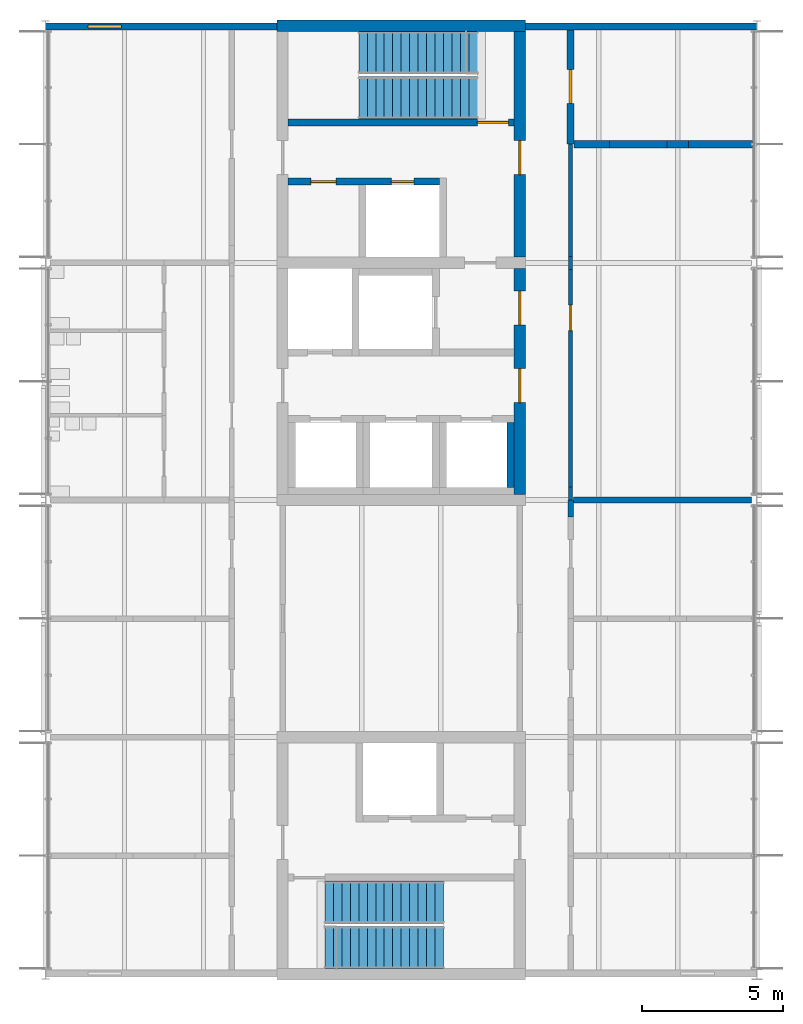
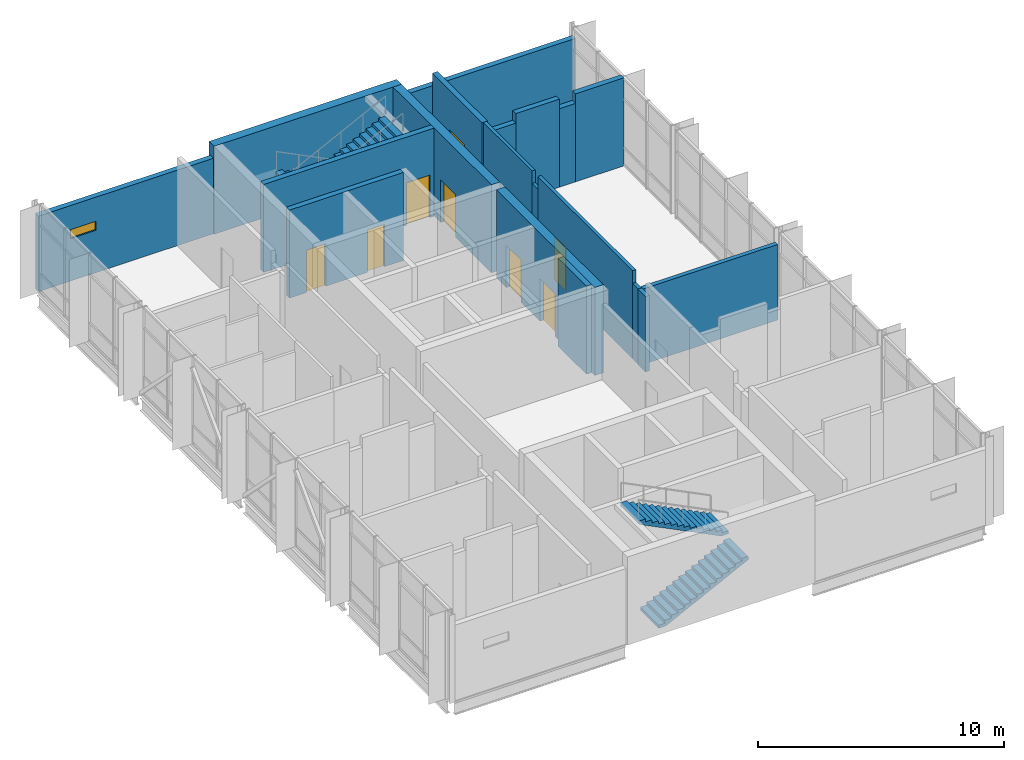
# One storey, part 10 of 15: 19 walls, 8 doors, 4 stair flights, 1 window, 9 openings, 2 elements without a shape of their own.
"""IFC4 building model written with IfcOpenShell, lengths in metres."""

from ifc_helpers import new_model, si_unit, direction, frame, frame_2d, origin, place, context, subcontext, project, spatial, polyline, rectangle, outline, extrude, material, layer, layer_set, type_object, element, fill, aggregate, save


model = new_model("IFC4")

# Units and contexts
model_context = context("Model", 3, precision=1e-05, world=origin(), true_north=direction((0.0, 1.0)))
body_context = subcontext(model_context, "Body", "Model", "MODEL_VIEW")
ifc_project = project(units=[si_unit("LENGTHUNIT", "METRE"), si_unit("AREAUNIT", "SQUARE_METRE"), si_unit("VOLUMEUNIT", "CUBIC_METRE"), si_unit("PLANEANGLEUNIT", "RADIAN"), si_unit("MASSUNIT", "GRAM", prefix="KILO")], contexts=[model_context])

# Site, building, storey
site_placement = place(None, origin())
site = spatial("IfcSite", under=ifc_project, at=site_placement, CompositionType="ELEMENT")
building_placement = place(site_placement, origin())
building = spatial("IfcBuilding", under=site, at=building_placement, Name="Hlaing Beacon Police Headquarters", CompositionType="ELEMENT")
storey_placement = place(building_placement, frame((0.0, 0.0, 32.39990234375)))
storey = spatial("IfcBuildingStorey", under=building, at=storey_placement, Name="L07", CompositionType="ELEMENT", Elevation=32.39990234375)

# Wall, openings, doors
ifc_material_1 = material(Name="Concrete C60/75", Category="concrete")
ifc_layer_1 = layer(ifc_material_1, 0.39990234375)
ifc_layer_set_1 = layer_set([ifc_layer_1], Name="Concrete C60/75")
wall_type_1 = type_object("IfcWallType", Name="Core shear wall 400", PredefinedType="SHEAR", material=ifc_layer_set_1)
wall_1_placement = place(storey_placement, frame((117.60009765625, 50.60009765625, 0.0), z_axis=(0.0, 0.0, 1.0), x_axis=(0.0, 1.0, 0.0)))
wall_1 = element("IfcWall", 1, at=wall_1_placement, inside=storey, type_object=wall_type_1, Name="Core shear wall", PredefinedType="SHEAR", context=body_context, shape_type="SweptSolid", body=[
    extrude(rectangle(XDim=8.0, YDim=0.39990234375, at=frame_2d((4.0, 0.0))), origin(), (0.0, 0.0, 1.0), 4.3701171875),
])
opening_1_placement = place(wall_1_placement, frame((3.25, 0.0, 0.0)))
opening_1 = element("IfcOpeningElement", 2, at=opening_1_placement, cuts=wall_1, Name="Opening L07-902", PredefinedType="OPENING", context=body_context, shape_type="SweptSolid", body=[
    extrude(rectangle(XDim=1.199951171875, YDim=2.10009765625, at=frame_2d((0.60009765625, 1.050048828125))), frame((0.0, 0.2099609375, 0.0), z_axis=(0.0, -1.0, 0.0), x_axis=(1.0, 0.0, 0.0)), (0.0, 0.0, 1.0), 0.419921875),
])
opening_2_placement = place(wall_1_placement, frame((6.0, 0.0, 0.0)))
opening_2 = element("IfcOpeningElement", 3, at=opening_2_placement, cuts=wall_1, Name="Opening L07-903", PredefinedType="OPENING", context=body_context, shape_type="SweptSolid", body=[
    extrude(rectangle(XDim=1.199951171875, YDim=2.10009765625, at=frame_2d((0.60009765625, 1.050048828125))), frame((0.0, 0.2099609375, 0.0), z_axis=(0.0, -1.0, 0.0), x_axis=(1.0, 0.0, 0.0)), (0.0, 0.0, 1.0), 0.419921875),
])
ifc_material_2 = material(Name="Steel fire door leaf", Category="steel")
ifc_layer_2 = layer(ifc_material_2, 0.070068359375)
ifc_layer_set_2 = layer_set([ifc_layer_2], Name="Steel fire door leaf")
door_type_1 = type_object("IfcDoorType", Name="Steel fire door FD60S 1200x2100", OperationType="SINGLE_SWING_LEFT", PredefinedType="DOOR", material=ifc_layer_set_2)
door_1_placement = place(opening_1_placement, origin())
door_1 = element("IfcDoor", 4, at=door_1_placement, inside=storey, type_object=door_type_1, Name="Door Lift Lobby Entry", OperationType="SINGLE_SWING_RIGHT", OverallHeight=2.10009765625, OverallWidth=1.199951171875, PredefinedType="DOOR", context=body_context, shape_type="SweptSolid", body=[
    extrude(rectangle(XDim=1.199951171875, YDim=2.10009765625, at=frame_2d((0.60009765625, 1.050048828125))), frame((0.0, 0.03515625, 0.0), z_axis=(0.0, -1.0, 0.0), x_axis=(1.0, 0.0, 0.0)), (0.0, 0.0, 1.0), 0.070068359375),
])
fill(opening_1, door_1)
door_2_placement = place(opening_2_placement, origin())
door_2 = element("IfcDoor", 5, at=door_2_placement, inside=storey, type_object=door_type_1, Name="Door Firefighting Lobby Entry", OperationType="SINGLE_SWING_LEFT", OverallHeight=2.10009765625, OverallWidth=1.199951171875, PredefinedType="DOOR", context=body_context, shape_type="SweptSolid", body=[
    extrude(rectangle(XDim=1.199951171875, YDim=2.10009765625, at=frame_2d((0.60009765625, 1.050048828125))), frame((0.0, 0.03515625, 0.0), z_axis=(0.0, -1.0, 0.0), x_axis=(1.0, 0.0, 0.0)), (0.0, 0.0, 1.0), 0.070068359375),
])
fill(opening_2, door_2)

# Wall
wall_2_placement = place(storey_placement, frame((109.0, 67.199951171875, 0.0), z_axis=(0.0, 0.0, 1.0), x_axis=(1.0, 0.0, 0.0)))
element("IfcWall", 6, at=wall_2_placement, inside=storey, type_object=wall_type_1, Name="Core shear wall", PredefinedType="SHEAR", context=body_context, shape_type="SweptSolid", body=[
    extrude(rectangle(XDim=8.800048828125, YDim=0.39990234375, at=frame_2d((4.39990234375, 0.0))), origin(), (0.0, 0.0, 1.0), 4.3701171875),
])

# Wall, opening, door
wall_3_placement = place(storey_placement, frame((117.60009765625, 59.0, 0.0), z_axis=(0.0, 0.0, 1.0), x_axis=(0.0, 1.0, 0.0)))
wall_3 = element("IfcWall", 7, at=wall_3_placement, inside=storey, type_object=wall_type_1, Name="Core shear wall", PredefinedType="SHEAR", context=body_context, shape_type="SweptSolid", body=[
    extrude(rectangle(XDim=8.0, YDim=0.39990234375, at=frame_2d((4.0, 0.0))), origin(), (0.0, 0.0, 1.0), 4.3701171875),
])
opening_3_placement = place(wall_3_placement, frame((2.925048828125, 0.0, 0.0)))
opening_3 = element("IfcOpeningElement", 8, at=opening_3_placement, cuts=wall_3, Name="Opening L07-908", PredefinedType="OPENING", context=body_context, shape_type="SweptSolid", body=[
    extrude(rectangle(XDim=1.199951171875, YDim=2.10009765625, at=frame_2d((0.60009765625, 1.050048828125))), frame((0.0, 0.2099609375, 0.0), z_axis=(0.0, -1.0, 0.0), x_axis=(1.0, 0.0, 0.0)), (0.0, 0.0, 1.0), 0.419921875),
])
door_3_placement = place(opening_3_placement, origin())
door_3 = element("IfcDoor", 9, at=door_3_placement, inside=storey, type_object=door_type_1, Name="Door Stair Lobby ST-M Entry", OperationType="SINGLE_SWING_RIGHT", OverallHeight=2.10009765625, OverallWidth=1.199951171875, PredefinedType="DOOR", context=body_context, shape_type="SweptSolid", body=[
    extrude(rectangle(XDim=1.199951171875, YDim=2.10009765625, at=frame_2d((0.60009765625, 1.050048828125))), frame((0.0, 0.03515625, 0.0), z_axis=(0.0, -1.0, 0.0), x_axis=(1.0, 0.0, 0.0)), (0.0, 0.0, 1.0), 0.070068359375),
])
fill(opening_3, door_3)

# Wall
ifc_material_3 = material(Name="Gypsum board partition")
ifc_layer_3 = layer(ifc_material_3, 0.14990234375)
ifc_layer_set_3 = layer_set([ifc_layer_3], Name="Gypsum board partition")
wall_type_2 = type_object("IfcWallType", Name="Corridor wall EI 30 150", PredefinedType="PARTITIONING", material=ifc_layer_set_3)
wall_4_placement = place(storey_placement, frame((119.39990234375, 50.39990234375, 0.0), z_axis=(0.0, 0.0, 1.0), x_axis=(0.0, 1.0, 0.0)))
element("IfcWall", 10, at=wall_4_placement, inside=storey, type_object=wall_type_2, Name="Corridor wall EI 30 150", PredefinedType="PARTITIONING", context=body_context, shape_type="SweptSolid", body=[
    extrude(rectangle(XDim=0.460205078125, YDim=0.14990234375, at=frame_2d((0.22998046875, 0.0))), origin(), (0.0, 0.0, 1.0), 3.74609375),
])

# Wall, opening, door
wall_5_placement = place(storey_placement, frame((119.39990234375, 50.860107421875, 0.0), z_axis=(0.0, 0.0, 1.0), x_axis=(0.0, 1.0, 0.0)))
wall_5 = element("IfcWall", 11, at=wall_5_placement, inside=storey, type_object=wall_type_2, Name="Corridor wall EI 30 150", PredefinedType="PARTITIONING", context=body_context, shape_type="SweptSolid", body=[
    extrude(rectangle(XDim=7.7099609375, YDim=0.14990234375, at=frame_2d((3.85498046875, 0.0))), origin(), (0.0, 0.0, 1.0), 4.3701171875),
])
opening_4_placement = place(wall_5_placement, frame((5.5400390625, 0.0, 0.0)))
opening_4 = element("IfcOpeningElement", 12, at=opening_4_placement, cuts=wall_5, Name="Opening L07-005", PredefinedType="OPENING", context=body_context, shape_type="SweptSolid", body=[
    extrude(rectangle(XDim=0.89990234375, YDim=2.10009765625, at=frame_2d((0.449951171875, 1.050048828125))), frame((0.0, 0.0849609375, 0.0), z_axis=(0.0, -1.0, 0.0), x_axis=(1.0, 0.0, 0.0)), (0.0, 0.0, 1.0), 0.169921875),
])
ifc_material_4 = material(Name="Hardwood door leaf", Category="wood")
ifc_layer_4 = layer(ifc_material_4, 0.050048828125)
ifc_layer_set_4 = layer_set([ifc_layer_4], Name="Hardwood door leaf")
door_type_2 = type_object("IfcDoorType", Name="Fire door FD30S 900x2100", OperationType="SINGLE_SWING_LEFT", PredefinedType="DOOR", material=ifc_layer_set_4)
door_4_placement = place(opening_4_placement, frame((0.89990234375, 0.0, 0.0), z_axis=(0.0, 0.0, 1.0), x_axis=(-1.0, 0.0, 0.0)))
door_4 = element("IfcDoor", 13, at=door_4_placement, inside=storey, type_object=door_type_2, Name="Door Witness Care Office", OperationType="SINGLE_SWING_LEFT", OverallHeight=2.10009765625, OverallWidth=0.89990234375, PredefinedType="DOOR", context=body_context, shape_type="SweptSolid", body=[
    extrude(rectangle(XDim=0.89990234375, YDim=2.10009765625, at=frame_2d((0.449951171875, 1.050048828125))), frame((0.0, 0.025146484375, 0.0), z_axis=(0.0, -1.0, 0.0), x_axis=(1.0, 0.0, 0.0)), (0.0, 0.0, 1.0), 0.050048828125),
])
fill(opening_4, door_4)

# Walls
wall_6_placement = place(storey_placement, frame((119.39990234375, 58.570068359375, 0.0), z_axis=(0.0, 0.0, 1.0), x_axis=(0.0, 1.0, 0.0)))
element("IfcWall", 14, at=wall_6_placement, inside=storey, type_object=wall_type_2, Name="Corridor wall EI 30 150", PredefinedType="PARTITIONING", context=body_context, shape_type="SweptSolid", body=[
    extrude(rectangle(XDim=0.4599609375, YDim=0.14990234375, at=frame_2d((0.22998046875, 0.0))), origin(), (0.0, 0.0, 1.0), 3.74609375),
])
wall_7_placement = place(storey_placement, frame((119.39990234375, 59.030029296875, 0.0), z_axis=(0.0, 0.0, 1.0), x_axis=(0.0, 1.0, 0.0)))
element("IfcWall", 15, at=wall_7_placement, inside=storey, type_object=wall_type_2, Name="Corridor wall EI 30 150", PredefinedType="PARTITIONING", context=body_context, shape_type="SweptSolid", body=[
    extrude(rectangle(XDim=3.969970703125, YDim=0.14990234375, at=frame_2d((1.98486328125, 0.0))), origin(), (0.0, 0.0, 1.0), 4.3701171875),
])
ifc_material_5 = material(Name="Concrete blockwork 7.5 N/mm2", Category="masonry")
ifc_layer_5 = layer(ifc_material_5, 0.199951171875)
ifc_layer_set_5 = layer_set([ifc_layer_5], Name="Concrete blockwork 7.5 N/mm2")
wall_type_3 = type_object("IfcWallType", Name="Custody wall EI 60 200", PredefinedType="PARTITIONING", material=ifc_layer_set_5)
wall_8_placement = place(storey_placement, frame((119.39990234375, 49.7900390625, 0.0), z_axis=(0.0, 0.0, 1.0), x_axis=(0.0, 1.0, 0.0)))
element("IfcWall", 16, at=wall_8_placement, inside=storey, type_object=wall_type_3, Name="Custody wall EI 60 200", PredefinedType="PARTITIONING", context=body_context, shape_type="SweptSolid", body=[
    extrude(rectangle(XDim=0.60986328125, YDim=0.199951171875, at=frame_2d((0.304931640625, 0.0))), origin(), (0.0, 0.0, 1.0), 3.74609375),
])
wall_9_placement = place(storey_placement, frame((119.5, 50.39990234375, 0.0), z_axis=(0.0, 0.0, 1.0), x_axis=(1.0, 0.0, 0.0)))
element("IfcWall", 17, at=wall_9_placement, inside=storey, type_object=wall_type_3, Name="Custody wall EI 60 200", PredefinedType="PARTITIONING", context=body_context, shape_type="SweptSolid", body=[
    extrude(rectangle(XDim=6.31396484375, YDim=0.199951171875, at=frame_2d((3.156982421875, 0.0))), origin(), (0.0, 0.0, 1.0), 3.74609375),
])

# Wall, opening, door
ifc_material_6 = material(Name="Concrete blockwork 7.5 N/mm2", Category="masonry")
ifc_layer_6 = layer(ifc_material_6, 0.25)
ifc_layer_set_6 = layer_set([ifc_layer_6], Name="Concrete blockwork 7.5 N/mm2")
wall_type_4 = type_object("IfcWallType", Name="Plant room wall EI 120 250", PredefinedType="PARTITIONING", material=ifc_layer_set_6)
wall_10_placement = place(storey_placement, frame((119.39990234375, 63.0, 0.0), z_axis=(0.0, 0.0, 1.0), x_axis=(0.0, 1.0, 0.0)))
wall_10 = element("IfcWall", 18, at=wall_10_placement, inside=storey, type_object=wall_type_4, Name="Plant room wall EI 120 250", PredefinedType="PARTITIONING", context=body_context, shape_type="SweptSolid", body=[
    extrude(rectangle(XDim=4.050048828125, YDim=0.25, at=frame_2d((2.02490234375, 0.0))), origin(), (0.0, 0.0, 1.0), 4.3701171875),
])
opening_5_placement = place(wall_10_placement, frame((1.449951171875, 0.0, 0.0)))
opening_5 = element("IfcOpeningElement", 19, at=opening_5_placement, cuts=wall_10, Name="Opening L07-006", PredefinedType="OPENING", context=body_context, shape_type="SweptSolid", body=[
    extrude(rectangle(XDim=1.199951171875, YDim=2.39990234375, at=frame_2d((0.60009765625, 1.199951171875))), frame((0.0, 0.135009765625, 0.0), z_axis=(0.0, -1.0, 0.0), x_axis=(1.0, 0.0, 0.0)), (0.0, 0.0, 1.0), 0.27001953125),
])
ifc_material_7 = material(Name="Steel fire door leaf", Category="steel")
ifc_layer_7 = layer(ifc_material_7, 0.10009765625)
ifc_layer_set_7 = layer_set([ifc_layer_7], Name="Steel fire door leaf")
door_type_3 = type_object("IfcDoorType", Name="Steel plant door FD120 1200x2400", OperationType="SINGLE_SWING_LEFT", PredefinedType="DOOR", material=ifc_layer_set_7)
door_5_placement = place(opening_5_placement, frame((1.199951171875, 0.0, 0.0), z_axis=(0.0, 0.0, 1.0), x_axis=(-1.0, 0.0, 0.0)))
door_5 = element("IfcDoor", 20, at=door_5_placement, inside=storey, type_object=door_type_3, Name="Door Operations Plant Room", OperationType="SINGLE_SWING_RIGHT", OverallHeight=2.39990234375, OverallWidth=1.199951171875, PredefinedType="DOOR", context=body_context, shape_type="SweptSolid", body=[
    extrude(rectangle(XDim=1.199951171875, YDim=2.39990234375, at=frame_2d((0.599853515625, 1.199951171875))), frame((0.0, 0.050048828125, 0.0), z_axis=(0.0, -1.0, 0.0), x_axis=(1.0, 0.0, 0.0)), (0.0, 0.0, 1.0), 0.10009765625),
])
fill(opening_5, door_5)

# Walls
wall_11_placement = place(storey_placement, frame((119.52490234375, 63.0, 0.0), z_axis=(0.0, 0.0, 1.0), x_axis=(1.0, 0.0, 0.0)))
element("IfcWall", 21, at=wall_11_placement, inside=storey, type_object=wall_type_4, Name="Plant room wall EI 120 250", PredefinedType="PARTITIONING", context=body_context, shape_type="SweptSolid", body=[
    extrude(rectangle(XDim=1.255126953125, YDim=0.25, at=frame_2d((0.62744140625, 0.0))), origin(), (0.0, 0.0, 1.0), 3.89501953125),
])
wall_12_placement = place(storey_placement, frame((120.780029296875, 63.0, 0.0), z_axis=(0.0, 0.0, 1.0), x_axis=(1.0, 0.0, 0.0)))
element("IfcWall", 22, at=wall_12_placement, inside=storey, type_object=wall_type_4, Name="Plant room wall EI 120 250", PredefinedType="PARTITIONING", context=body_context, shape_type="SweptSolid", body=[
    extrude(rectangle(XDim=2.0400390625, YDim=0.25, at=frame_2d((1.02001953125, 0.0))), origin(), (0.0, 0.0, 1.0), 4.3701171875),
])
wall_13_placement = place(storey_placement, frame((122.820068359375, 63.0, 0.0), z_axis=(0.0, 0.0, 1.0), x_axis=(1.0, 0.0, 0.0)))
element("IfcWall", 23, at=wall_13_placement, inside=storey, type_object=wall_type_4, Name="Plant room wall EI 120 250", PredefinedType="PARTITIONING", context=body_context, shape_type="SweptSolid", body=[
    extrude(rectangle(XDim=0.760009765625, YDim=0.25, at=frame_2d((0.3798828125, 0.0))), origin(), (0.0, 0.0, 1.0), 3.89501953125),
])
wall_14_placement = place(storey_placement, frame((123.580078125, 63.0, 0.0), z_axis=(0.0, 0.0, 1.0), x_axis=(1.0, 0.0, 0.0)))
element("IfcWall", 24, at=wall_14_placement, inside=storey, type_object=wall_type_4, Name="Plant room wall EI 120 250", PredefinedType="PARTITIONING", context=body_context, shape_type="SweptSolid", body=[
    extrude(rectangle(XDim=2.27001953125, YDim=0.25, at=frame_2d((1.135009765625, 0.0))), origin(), (0.0, 0.0, 1.0), 4.3701171875),
])
ifc_material_8 = material(Name="Concrete C40/50 precast ribbed cladding", Category="concrete")
ifc_layer_8 = layer(ifc_material_8, 0.25)
ifc_layer_set_8 = layer_set([ifc_layer_8], Name="Concrete C40/50 precast ribbed cladding")
wall_type_5 = type_object("IfcWallType", Name="Precast ribbed wall 250", PredefinedType="SOLIDWALL", material=ifc_layer_set_8)
wall_15_placement = place(storey_placement, frame((125.99560546875, 67.175048828125, 0.0), z_axis=(0.0, 0.0, 1.0), x_axis=(-1.0, 0.0, 0.0)))
element("IfcWall", 25, at=wall_15_placement, inside=storey, type_object=wall_type_5, Name="External wall L07 N001", PredefinedType="SOLIDWALL", context=body_context, shape_type="SweptSolid", body=[
    extrude(rectangle(XDim=8.195556640625, YDim=0.25, at=frame_2d((4.09765625, 0.0))), origin(), (0.0, 0.0, 1.0), 3.74609375),
])

# Wall, opening, window
wall_16_placement = place(storey_placement, frame((109.0, 67.175048828125, 0.0), z_axis=(0.0, 0.0, 1.0), x_axis=(-1.0, 0.0, 0.0)))
wall_16 = element("IfcWall", 26, at=wall_16_placement, inside=storey, type_object=wall_type_5, Name="External wall L07 N002", PredefinedType="SOLIDWALL", context=body_context, shape_type="SweptSolid", body=[
    extrude(rectangle(XDim=8.19580078125, YDim=0.25, at=frame_2d((4.097900390625, 0.0))), origin(), (0.0, 0.0, 1.0), 3.74609375),
])
opening_6_placement = place(wall_16_placement, frame((5.5, 0.0, 2.10009765625)))
opening_6 = element("IfcOpeningElement", 27, at=opening_6_placement, cuts=wall_16, Name="Opening WN39", PredefinedType="OPENING", context=body_context, shape_type="SweptSolid", body=[
    extrude(rectangle(XDim=1.199951171875, YDim=0.449951171875, at=frame_2d((0.60009765625, 0.22509765625))), frame((0.0, 0.135009765625, 0.0), z_axis=(0.0, -1.0, 0.0), x_axis=(1.0, 0.0, 0.0)), (0.0, 0.0, 1.0), 0.27001953125),
])
ifc_material_9 = material(Name="Aluminium frame with solar control glazing", Category="aluminium")
window_type = type_object("IfcWindowType", Name="Interview room high window 1200x450 frame 100", PartitioningType="SINGLE_PANEL", PredefinedType="WINDOW", material=ifc_material_9)
window_placement = place(opening_6_placement, origin())
window = element("IfcWindow", 28, at=window_placement, inside=storey, type_object=window_type, Name="Window L07 WI", OverallHeight=0.449951171875, OverallWidth=1.199951171875, PartitioningType="SINGLE_PANEL", PredefinedType="WINDOW", context=body_context, shape_type="SweptSolid", body=[
    extrude(rectangle(XDim=1.199951171875, YDim=0.449951171875, at=frame_2d((0.60009765625, 0.22509765625))), frame((0.0, 0.050048828125, 0.0), z_axis=(0.0, -1.0, 0.0), x_axis=(1.0, 0.0, 0.0)), (0.0, 0.0, 1.0), 0.10009765625),
])
fill(opening_6, window)

# Wall, opening, door
ifc_material_10 = material(Name="Concrete C40/50", Category="concrete")
ifc_layer_9 = layer(ifc_material_10, 0.25)
ifc_layer_set_9 = layer_set([ifc_layer_9], Name="Concrete C40/50")
wall_type_6 = type_object("IfcWallType", Name="Shaft wall 250", PredefinedType="SOLIDWALL", material=ifc_layer_set_9)
wall_17_placement = place(storey_placement, frame((117.39990234375, 63.77490234375, 0.0), z_axis=(0.0, 0.0, 1.0), x_axis=(-1.0, 0.0, 0.0)))
wall_17 = element("IfcWall", 29, at=wall_17_placement, inside=storey, type_object=wall_type_6, Name="Stair enclosure wall", PredefinedType="SOLIDWALL", context=body_context, shape_type="SweptSolid", body=[
    extrude(rectangle(XDim=8.0, YDim=0.25, at=frame_2d((4.0, 0.0))), origin(), (0.0, 0.0, 1.0), 4.3701171875),
])
opening_7_placement = place(wall_17_placement, frame((0.199951171875, 0.0, 0.0)))
opening_7 = element("IfcOpeningElement", 30, at=opening_7_placement, cuts=wall_17, Name="Opening L07-910", PredefinedType="OPENING", context=body_context, shape_type="SweptSolid", body=[
    extrude(rectangle(XDim=1.10009765625, YDim=2.10009765625, at=frame_2d((0.550048828125, 1.050048828125))), frame((0.0, 0.135009765625, 0.0), z_axis=(0.0, -1.0, 0.0), x_axis=(1.0, 0.0, 0.0)), (0.0, 0.0, 1.0), 0.27001953125),
])
ifc_material_11 = material(Name="Steel fire door leaf", Category="steel")
ifc_layer_10 = layer(ifc_material_11, 0.070068359375)
ifc_layer_set_10 = layer_set([ifc_layer_10], Name="Steel fire door leaf")
door_type_4 = type_object("IfcDoorType", Name="Steel fire door FD60 1100x2100", OperationType="SINGLE_SWING_LEFT", PredefinedType="DOOR", material=ifc_layer_set_10)
door_6_placement = place(opening_7_placement, frame((1.10009765625, 0.0, 0.0), z_axis=(0.0, 0.0, 1.0), x_axis=(-1.0, 0.0, 0.0)))
door_6 = element("IfcDoor", 31, at=door_6_placement, inside=storey, type_object=door_type_4, Name="Door Stair ST-M", OperationType="SINGLE_SWING_LEFT", OverallHeight=2.10009765625, OverallWidth=1.10009765625, PredefinedType="DOOR", context=body_context, shape_type="SweptSolid", body=[
    extrude(rectangle(XDim=1.10009765625, YDim=2.10009765625, at=frame_2d((0.550048828125, 1.050048828125))), frame((0.0, 0.034912109375, 0.0), z_axis=(0.0, -1.0, 0.0), x_axis=(1.0, 0.0, 0.0)), (0.0, 0.0, 1.0), 0.070068359375),
])
fill(opening_7, door_6)

# Wall, openings, doors
wall_18_placement = place(storey_placement, frame((114.75, 61.675048828125, 0.0), z_axis=(0.0, 0.0, 1.0), x_axis=(-1.0, 0.0, 0.0)))
wall_18 = element("IfcWall", 32, at=wall_18_placement, inside=storey, type_object=wall_type_6, Name="Lobby wall", PredefinedType="SOLIDWALL", context=body_context, shape_type="SweptSolid", body=[
    extrude(rectangle(XDim=5.35009765625, YDim=0.25, at=frame_2d((2.675048828125, 0.0))), origin(), (0.0, 0.0, 1.0), 4.3701171875),
])
opening_8_placement = place(wall_18_placement, frame((3.64990234375, 0.0, 0.0)))
opening_8 = element("IfcOpeningElement", 33, at=opening_8_placement, cuts=wall_18, Name="Opening L07-906", PredefinedType="OPENING", context=body_context, shape_type="SweptSolid", body=[
    extrude(rectangle(XDim=0.89990234375, YDim=2.10009765625, at=frame_2d((0.449951171875, 1.050048828125))), frame((0.0, 0.135009765625, 0.0), z_axis=(0.0, -1.0, 0.0), x_axis=(1.0, 0.0, 0.0)), (0.0, 0.0, 1.0), 0.27001953125),
])
opening_9_placement = place(wall_18_placement, frame((0.89990234375, 0.0, 0.0)))
opening_9 = element("IfcOpeningElement", 34, at=opening_9_placement, cuts=wall_18, Name="Opening L07-909", PredefinedType="OPENING", context=body_context, shape_type="SweptSolid", body=[
    extrude(rectangle(XDim=0.800048828125, YDim=2.10009765625, at=frame_2d((0.39990234375, 1.050048828125))), frame((0.0, 0.135009765625, 0.0), z_axis=(0.0, -1.0, 0.0), x_axis=(1.0, 0.0, 0.0)), (0.0, 0.0, 1.0), 0.27001953125),
])
ifc_material_12 = material(Name="Steel fire door leaf", Category="steel")
ifc_layer_11 = layer(ifc_material_12, 0.070068359375)
ifc_layer_set_11 = layer_set([ifc_layer_11], Name="Steel fire door leaf")
door_type_5 = type_object("IfcDoorType", Name="Steel fire door FD60 800x2100", OperationType="SINGLE_SWING_LEFT", PredefinedType="DOOR", material=ifc_layer_set_11)
door_7_placement = place(opening_9_placement, origin())
door_7 = element("IfcDoor", 35, at=door_7_placement, inside=storey, type_object=door_type_5, Name="Door Services Riser", OperationType="SINGLE_SWING_RIGHT", OverallHeight=2.10009765625, OverallWidth=0.800048828125, PredefinedType="DOOR", context=body_context, shape_type="SweptSolid", body=[
    extrude(rectangle(XDim=0.800048828125, YDim=2.10009765625, at=frame_2d((0.39990234375, 1.050048828125))), frame((0.0, 0.03515625, 0.0), z_axis=(0.0, -1.0, 0.0), x_axis=(1.0, 0.0, 0.0)), (0.0, 0.0, 1.0), 0.070068359375),
])
fill(opening_9, door_7)
ifc_material_13 = material(Name="Steel fire door leaf", Category="steel")
ifc_layer_12 = layer(ifc_material_13, 0.070068359375)
ifc_layer_set_12 = layer_set([ifc_layer_12], Name="Steel fire door leaf")
door_type_6 = type_object("IfcDoorType", Name="Steel fire door FD60 900x2100", OperationType="SINGLE_SWING_LEFT", PredefinedType="DOOR", material=ifc_layer_set_12)
door_8_placement = place(opening_8_placement, origin())
door_8 = element("IfcDoor", 36, at=door_8_placement, inside=storey, type_object=door_type_6, Name="Door Cleaners' Store", OperationType="SINGLE_SWING_LEFT", OverallHeight=2.10009765625, OverallWidth=0.89990234375, PredefinedType="DOOR", context=body_context, shape_type="SweptSolid", body=[
    extrude(rectangle(XDim=0.89990234375, YDim=2.10009765625, at=frame_2d((0.449951171875, 1.050048828125))), frame((0.0, 0.03515625, 0.0), z_axis=(0.0, -1.0, 0.0), x_axis=(1.0, 0.0, 0.0)), (0.0, 0.0, 1.0), 0.070068359375),
])
fill(opening_8, door_8)

# Wall
wall_19_placement = place(storey_placement, frame((117.27490234375, 50.85009765625, 0.0), z_axis=(0.0, 0.0, 1.0), x_axis=(0.0, 1.0, 0.0)))
element("IfcWall", 37, at=wall_19_placement, inside=storey, type_object=wall_type_6, Name="Lift shaft wall PL9", PredefinedType="SOLIDWALL", context=body_context, shape_type="SweptSolid", body=[
    extrude(rectangle(XDim=2.2998046875, YDim=0.25, at=frame_2d((1.14990234375, 0.0))), origin(), (0.0, 0.0, 1.0), 4.3701171875),
])

# Stair, stair flights
ifc_material_14 = material(Name="Concrete C40/50", Category="concrete")
stair_type = type_object("IfcStairType", Name="Half-turn stair 1500 wide, 4500 rise", PredefinedType="HALF_TURN_STAIR", material=ifc_material_14)
stair_1_placement = place(storey_placement, origin())
stair_1 = element("IfcStair", 38, at=stair_1_placement, inside=storey, type_object=stair_type, Name="Stair ST-M", PredefinedType="HALF_TURN_STAIR")
ifc_material_15 = material(Name="Concrete C40/50", Category="concrete")
stair_flight_type = type_object("IfcStairFlightType", Name="Stair flight 1500 wide, 15 risers", PredefinedType="STRAIGHT", material=ifc_material_15)
stair_flight_1_placement = place(storey_placement, frame((116.10009765625, 66.25, 0.0), z_axis=(0.0, 0.0, 1.0), x_axis=(-1.0, 0.0, 0.0)))
stair_flight_1 = element("IfcStairFlight", 39, at=stair_flight_1_placement, type_object=stair_flight_type, Name="ST-M flight 1", NumberOfRisers=15, NumberOfTreads=14, PredefinedType="STRAIGHT", RiserHeight=0.15, TreadLength=0.3, context=body_context, shape_type="SweptSolid", body=[
    extrude(outline(polyline([(0.0, 0.0), (0.0, 0.14990234375), (0.300048828125, 0.14990234375), (0.300048828125, 0.300048828125), (0.60009765625, 0.300048828125), (0.60009765625, 0.449951171875), (0.89990234375, 0.449951171875), (0.89990234375, 0.60009765625), (1.199951171875, 0.60009765625), (1.199951171875, 0.75), (1.5, 0.75), (1.5, 0.89990234375), (1.800048828125, 0.89990234375), (1.800048828125, 1.050048828125), (2.10009765625, 1.050048828125), (2.10009765625, 1.199951171875), (2.39990234375, 1.199951171875), (2.39990234375, 1.35009765625), (2.699951171875, 1.35009765625), (2.699951171875, 1.5), (3.0, 1.5), (3.0, 1.64990234375), (3.300048828125, 1.64990234375), (3.300048828125, 1.800048828125), (3.60009765625, 1.800048828125), (3.60009765625, 1.949951171875), (3.89990234375, 1.949951171875), (3.89990234375, 2.10009765625), (4.199951171875, 2.10009765625), (4.199951171875, 2.25), (4.199951171875, 1.932373046875), (0.335205078125, 0.0), (0.0, 0.0)])), frame((0.0, 0.75, 0.0), z_axis=(0.0, -1.0, 0.0), x_axis=(1.0, 0.0, 0.0)), (0.0, 0.0, 1.0), 1.5),
])
stair_flight_2_placement = place(storey_placement, frame((111.89990234375, 64.64990234375, 2.25), z_axis=(0.0, 0.0, 1.0), x_axis=(1.0, 0.0, 0.0)))
stair_flight_2 = element("IfcStairFlight", 40, at=stair_flight_2_placement, type_object=stair_flight_type, Name="ST-M flight 2", NumberOfRisers=15, NumberOfTreads=14, PredefinedType="STRAIGHT", RiserHeight=0.15, TreadLength=0.3, context=body_context, shape_type="SweptSolid", body=[
    extrude(outline(polyline([(0.0, 0.0), (0.0, 0.14990234375), (0.300048828125, 0.14990234375), (0.300048828125, 0.300048828125), (0.60009765625, 0.300048828125), (0.60009765625, 0.449951171875), (0.89990234375, 0.449951171875), (0.89990234375, 0.60009765625), (1.199951171875, 0.60009765625), (1.199951171875, 0.75), (1.5, 0.75), (1.5, 0.89990234375), (1.800048828125, 0.89990234375), (1.800048828125, 1.050048828125), (2.10009765625, 1.050048828125), (2.10009765625, 1.199951171875), (2.39990234375, 1.199951171875), (2.39990234375, 1.35009765625), (2.699951171875, 1.35009765625), (2.699951171875, 1.5), (3.0, 1.5), (3.0, 1.64990234375), (3.300048828125, 1.64990234375), (3.300048828125, 1.800048828125), (3.60009765625, 1.800048828125), (3.60009765625, 1.949951171875), (3.89990234375, 1.949951171875), (3.89990234375, 2.10009765625), (4.199951171875, 2.10009765625), (4.199951171875, 2.25), (4.199951171875, 1.932373046875), (0.335205078125, 0.0), (0.0, 0.0)])), frame((0.0, 0.75, 0.0), z_axis=(0.0, -1.0, 0.0), x_axis=(1.0, 0.0, 0.0)), (0.0, 0.0, 1.0), 1.5),
])
aggregate(stair_1, [stair_flight_1, stair_flight_2])

stair_2_placement = place(storey_placement, origin())
stair_2 = element("IfcStair", 41, at=stair_2_placement, inside=storey, type_object=stair_type, Name="Stair ST-L", PredefinedType="HALF_TURN_STAIR")
stair_flight_3_placement = place(storey_placement, frame((110.699951171875, 34.550048828125, 0.0), z_axis=(0.0, 0.0, 1.0), x_axis=(1.0, 0.0, 0.0)))
stair_flight_3 = element("IfcStairFlight", 42, at=stair_flight_3_placement, type_object=stair_flight_type, Name="ST-L flight 1", NumberOfRisers=15, NumberOfTreads=14, PredefinedType="STRAIGHT", RiserHeight=0.15, TreadLength=0.3, context=body_context, shape_type="SweptSolid", body=[
    extrude(outline(polyline([(0.0, 0.0), (0.0, 0.14990234375), (0.300048828125, 0.14990234375), (0.300048828125, 0.300048828125), (0.60009765625, 0.300048828125), (0.60009765625, 0.449951171875), (0.89990234375, 0.449951171875), (0.89990234375, 0.60009765625), (1.199951171875, 0.60009765625), (1.199951171875, 0.75), (1.5, 0.75), (1.5, 0.89990234375), (1.800048828125, 0.89990234375), (1.800048828125, 1.050048828125), (2.10009765625, 1.050048828125), (2.10009765625, 1.199951171875), (2.39990234375, 1.199951171875), (2.39990234375, 1.35009765625), (2.699951171875, 1.35009765625), (2.699951171875, 1.5), (3.0, 1.5), (3.0, 1.64990234375), (3.300048828125, 1.64990234375), (3.300048828125, 1.800048828125), (3.60009765625, 1.800048828125), (3.60009765625, 1.949951171875), (3.89990234375, 1.949951171875), (3.89990234375, 2.10009765625), (4.199951171875, 2.10009765625), (4.199951171875, 2.25), (4.199951171875, 1.932373046875), (0.335205078125, 0.0), (0.0, 0.0)])), frame((0.0, 0.75, 0.0), z_axis=(0.0, -1.0, 0.0), x_axis=(1.0, 0.0, 0.0)), (0.0, 0.0, 1.0), 1.5),
])
stair_flight_4_placement = place(storey_placement, frame((114.89990234375, 36.14990234375, 2.25), z_axis=(0.0, 0.0, 1.0), x_axis=(-1.0, 0.0, 0.0)))
stair_flight_4 = element("IfcStairFlight", 43, at=stair_flight_4_placement, type_object=stair_flight_type, Name="ST-L flight 2", NumberOfRisers=15, NumberOfTreads=14, PredefinedType="STRAIGHT", RiserHeight=0.15, TreadLength=0.3, context=body_context, shape_type="SweptSolid", body=[
    extrude(outline(polyline([(0.0, 0.0), (0.0, 0.14990234375), (0.300048828125, 0.14990234375), (0.300048828125, 0.300048828125), (0.60009765625, 0.300048828125), (0.60009765625, 0.449951171875), (0.89990234375, 0.449951171875), (0.89990234375, 0.60009765625), (1.199951171875, 0.60009765625), (1.199951171875, 0.75), (1.5, 0.75), (1.5, 0.89990234375), (1.800048828125, 0.89990234375), (1.800048828125, 1.050048828125), (2.10009765625, 1.050048828125), (2.10009765625, 1.199951171875), (2.39990234375, 1.199951171875), (2.39990234375, 1.35009765625), (2.699951171875, 1.35009765625), (2.699951171875, 1.5), (3.0, 1.5), (3.0, 1.64990234375), (3.300048828125, 1.64990234375), (3.300048828125, 1.800048828125), (3.60009765625, 1.800048828125), (3.60009765625, 1.949951171875), (3.89990234375, 1.949951171875), (3.89990234375, 2.10009765625), (4.199951171875, 2.10009765625), (4.199951171875, 2.25), (4.199951171875, 1.932373046875), (0.335205078125, 0.0), (0.0, 0.0)])), frame((0.0, 0.75, 0.0), z_axis=(0.0, -1.0, 0.0), x_axis=(1.0, 0.0, 0.0)), (0.0, 0.0, 1.0), 1.5),
])
aggregate(stair_2, [stair_flight_3, stair_flight_4])

save(model, "model.ifc")
